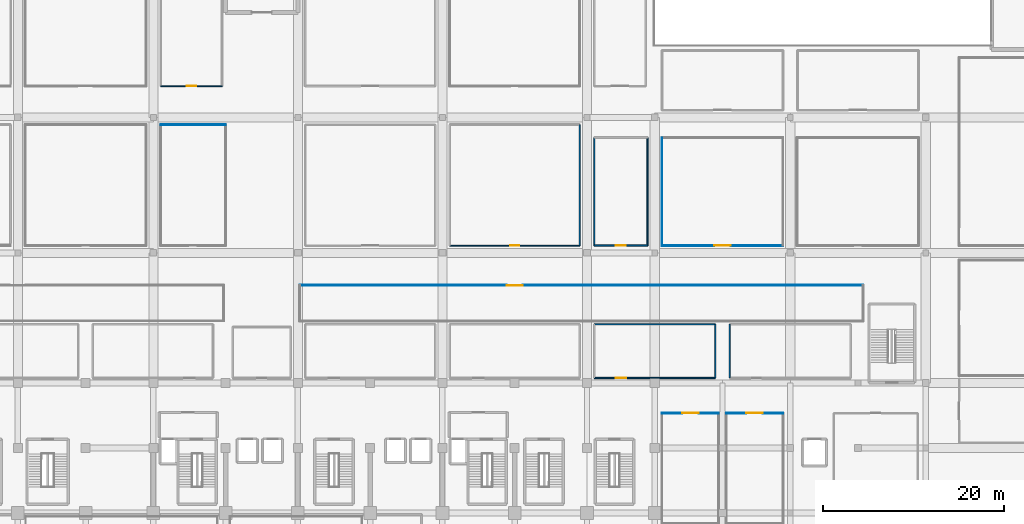
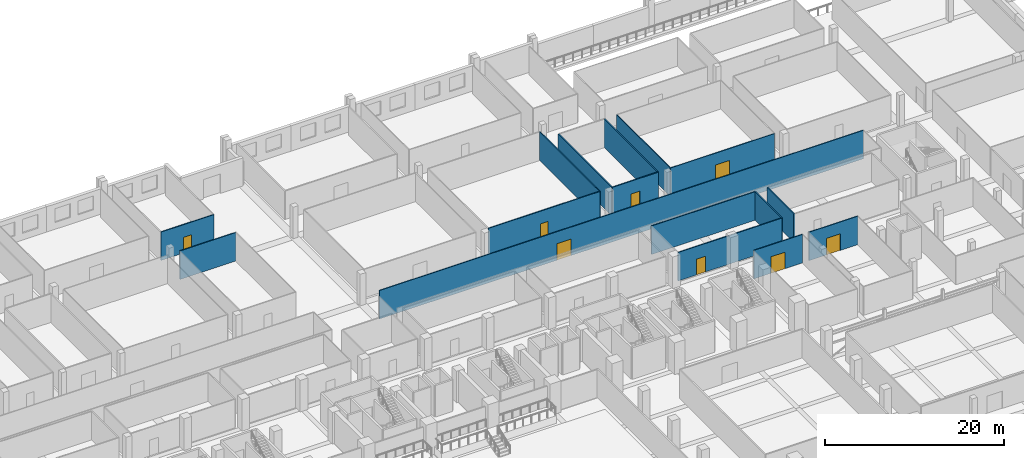
# One storey, part 20 of 33: 16 walls, 8 doors, 8 openings.
"""IFC4 building model written with IfcOpenShell, lengths in metres."""

from ifc_helpers import new_model, si_unit, direction, frame, frame_2d, origin, place, context, subcontext, project, spatial, rectangle, extrude, material, layer, layer_set, type_object, element, fill, save


model = new_model("IFC4")

# Units and contexts
model_context = context("Model", 3, precision=1e-05, world=origin(), true_north=direction((0.0, 1.0)))
body_context = subcontext(model_context, "Body", "Model", "MODEL_VIEW")
ifc_project = project(units=[si_unit("LENGTHUNIT", "METRE"), si_unit("AREAUNIT", "SQUARE_METRE"), si_unit("VOLUMEUNIT", "CUBIC_METRE"), si_unit("PLANEANGLEUNIT", "RADIAN"), si_unit("MASSUNIT", "GRAM", prefix="KILO")], contexts=[model_context])

# Site, building, storey
site_placement = place(None, origin())
site = spatial("IfcSite", under=ifc_project, at=site_placement, CompositionType="ELEMENT")
building_placement = place(site_placement, origin())
building = spatial("IfcBuilding", under=site, at=building_placement, Name="Akrevak Sports Hall", CompositionType="ELEMENT")
storey_placement = place(building_placement, origin())
storey = spatial("IfcBuildingStorey", under=building, at=storey_placement, Name="L00", CompositionType="ELEMENT", Elevation=0.0)

# Wall, opening, door
ifc_material_1 = material(Name="Sanitary Cubicle Partition", Category="gypsum")
ifc_layer_1 = layer(ifc_material_1, 0.10009765625, Name="Sanitary Cubicle Partition")
ifc_layer_set_1 = layer_set([ifc_layer_1], Name="Sanitary Cubicle Partition")
wall_type_1 = type_object("IfcWallType", Name="ARC-WL-PRT-100", PredefinedType="PARTITIONING", material=ifc_layer_set_1)
wall_1_placement = place(storey_placement, frame((116.300048828125, 84.800048828125, 0.0), z_axis=(0.0, 0.0, 1.0), x_axis=(1.0, 0.0, 0.0)))
wall_1 = element("IfcWall", 1, at=wall_1_placement, inside=storey, type_object=wall_type_1, Name="Interior Partition Athletic Gear & Equipment Storage L00-10 (S)", PredefinedType="PARTITIONING", context=body_context, shape_type="SweptSolid", body=[
    extrude(rectangle(XDim=13.39990234375, YDim=0.10009765625, at=frame_2d((6.699951171875, 0.0))), origin(), (0.0, 0.0, 1.0), 3.8798828125),
])
opening_1_placement = place(wall_1_placement, frame((5.800048828125, 0.0, 0.0)))
opening_1 = element("IfcOpeningElement", 2, at=opening_1_placement, cuts=wall_1, Name="Opening ID-02", PredefinedType="OPENING", context=body_context, shape_type="SweptSolid", body=[
    extrude(rectangle(XDim=1.800048828125, YDim=2.25, at=frame_2d((0.89990234375, 1.125))), frame((0.0, 0.06201171875, 0.0), z_axis=(0.0, -1.0, 0.0), x_axis=(1.0, 0.0, 0.0)), (0.0, 0.0, 1.0), 0.1240234375),
])
ifc_material_2 = material(Name="Hardwood Oak & Safety Glass", Category="wood")
door_type_1 = type_object("IfcDoorType", Name="ARC-DR-HALL-180x225", OperationType="DOUBLE_DOOR_SINGLE_SWING", PredefinedType="DOOR", material=ifc_material_2)
door_1_placement = place(opening_1_placement, origin())
door_1 = element("IfcDoor", 3, at=door_1_placement, inside=storey, type_object=door_type_1, Name="Door to Athletic Gear & Equipment Storage L00-10", OperationType="DOUBLE_DOOR_SINGLE_SWING", OverallHeight=2.25, OverallWidth=1.800048828125, PredefinedType="DOOR", context=body_context, shape_type="SweptSolid", body=[
    extrude(rectangle(XDim=1.800048828125, YDim=2.25, at=frame_2d((0.89990234375, 1.125))), frame((0.0, 0.02490234375, 0.0), z_axis=(0.0, -1.0, 0.0), x_axis=(1.0, 0.0, 0.0)), (0.0, 0.0, 1.0), 0.050048828125),
])
fill(opening_1, door_1)

# Wall
wall_2_placement = place(storey_placement, frame((116.300048828125, 84.800048828125, 0.0), z_axis=(0.0, 0.0, 1.0), x_axis=(0.0, 1.0, 0.0)))
element("IfcWall", 4, at=wall_2_placement, inside=storey, type_object=wall_type_1, Name="Interior Partition Athletic Gear & Equipment Storage L00-10 (W)", PredefinedType="PARTITIONING", context=body_context, shape_type="SweptSolid", body=[
    extrude(rectangle(XDim=11.949951171875, YDim=0.10009765625, at=frame_2d((5.97509765625, 0.0))), origin(), (0.0, 0.0, 1.0), 3.8798828125),
])

# Wall, opening, door
wall_3_placement = place(storey_placement, frame((116.300048828125, 66.25, 0.0), z_axis=(0.0, 0.0, 1.0), x_axis=(1.0, 0.0, 0.0)))
wall_3 = element("IfcWall", 5, at=wall_3_placement, inside=storey, type_object=wall_type_1, Name="Interior Partition Handball Gear Storage L00 (N)", PredefinedType="PARTITIONING", context=body_context, shape_type="SweptSolid", body=[
    extrude(rectangle(XDim=6.300048828125, YDim=0.10009765625, at=frame_2d((3.14990234375, 0.0))), origin(), (0.0, 0.0, 1.0), 3.8798828125),
])
opening_2_placement = place(wall_3_placement, frame((2.25, 0.0, 0.0)))
opening_2 = element("IfcOpeningElement", 6, at=opening_2_placement, cuts=wall_3, Name="Opening ID-02", PredefinedType="OPENING", context=body_context, shape_type="SweptSolid", body=[
    extrude(rectangle(XDim=1.800048828125, YDim=2.25, at=frame_2d((0.89990234375, 1.125))), frame((0.0, 0.06201171875, 0.0), z_axis=(0.0, -1.0, 0.0), x_axis=(1.0, 0.0, 0.0)), (0.0, 0.0, 1.0), 0.1240234375),
])
door_2_placement = place(opening_2_placement, origin())
door_2 = element("IfcDoor", 7, at=door_2_placement, inside=storey, type_object=door_type_1, Name="Door to Handball Gear Storage L00", OperationType="DOUBLE_DOOR_SINGLE_SWING", OverallHeight=2.25, OverallWidth=1.800048828125, PredefinedType="DOOR", context=body_context, shape_type="SweptSolid", body=[
    extrude(rectangle(XDim=1.800048828125, YDim=2.25, at=frame_2d((0.89990234375, 1.125))), frame((0.0, 0.02490234375, 0.0), z_axis=(0.0, -1.0, 0.0), x_axis=(1.0, 0.0, 0.0)), (0.0, 0.0, 1.0), 0.050048828125),
])
fill(opening_2, door_2)

# Wall
ifc_material_3 = material(Name="Lightweight Office Partition", Category="gypsum")
ifc_layer_2 = layer(ifc_material_3, 0.110107421875, Name="Lightweight Office Partition")
ifc_layer_set_2 = layer_set([ifc_layer_2], Name="Lightweight Office Partition")
wall_type_2 = type_object("IfcWallType", Name="ARC-WL-PRT-110", PredefinedType="PARTITIONING", material=ifc_layer_set_2)
wall_4_placement = place(storey_placement, frame((60.800048828125, 98.199951171875, 0.0), z_axis=(0.0, 0.0, 1.0), x_axis=(1.0, 0.0, 0.0)))
element("IfcWall", 8, at=wall_4_placement, inside=storey, type_object=wall_type_2, Name="Interior Partition Sports Clinic Recovery & Physiotherapy Room L00-6 (N)", PredefinedType="PARTITIONING", context=body_context, shape_type="SweptSolid", body=[
    extrude(rectangle(XDim=7.199951171875, YDim=0.110107421875, at=frame_2d((3.60009765625, 0.0))), origin(), (0.0, 0.0, 1.0), 3.8798828125),
])

# Wall, opening, door
wall_5_placement = place(storey_placement, frame((123.39990234375, 66.25, 0.0), z_axis=(0.0, 0.0, 1.0), x_axis=(1.0, 0.0, 0.0)))
wall_5 = element("IfcWall", 9, at=wall_5_placement, inside=storey, type_object=wall_type_2, Name="Interior Partition Climbing Rigging & Mat Storage L00 (N)", PredefinedType="PARTITIONING", context=body_context, shape_type="SweptSolid", body=[
    extrude(rectangle(XDim=6.300048828125, YDim=0.110107421875, at=frame_2d((3.14990234375, 0.0))), origin(), (0.0, 0.0, 1.0), 3.8798828125),
])
opening_3_placement = place(wall_5_placement, frame((2.25, 0.0, 0.0)))
opening_3 = element("IfcOpeningElement", 10, at=opening_3_placement, cuts=wall_5, Name="Opening ID-02", PredefinedType="OPENING", context=body_context, shape_type="SweptSolid", body=[
    extrude(rectangle(XDim=1.800048828125, YDim=2.25, at=frame_2d((0.89990234375, 1.125))), frame((0.0, 0.06689453125, 0.0), z_axis=(0.0, -1.0, 0.0), x_axis=(1.0, 0.0, 0.0)), (0.0, 0.0, 1.0), 0.134033203125),
])
door_3_placement = place(opening_3_placement, origin())
door_3 = element("IfcDoor", 11, at=door_3_placement, inside=storey, type_object=door_type_1, Name="Door to Climbing Rigging & Mat Storage L00", OperationType="DOUBLE_DOOR_SINGLE_SWING", OverallHeight=2.25, OverallWidth=1.800048828125, PredefinedType="DOOR", context=body_context, shape_type="SweptSolid", body=[
    extrude(rectangle(XDim=1.800048828125, YDim=2.25, at=frame_2d((0.89990234375, 1.125))), frame((0.0, 0.02490234375, 0.0), z_axis=(0.0, -1.0, 0.0), x_axis=(1.0, 0.0, 0.0)), (0.0, 0.0, 1.0), 0.050048828125),
])
fill(opening_3, door_3)

wall_6_placement = place(storey_placement, frame((76.199951171875, 80.39990234375, 0.0), z_axis=(0.0, 0.0, 1.0), x_axis=(1.0, 0.0, 0.0)))
wall_6 = element("IfcWall", 12, at=wall_6_placement, inside=storey, type_object=wall_type_2, Name="Interior Partition North Athletes Gear & Kit Storage L00-2 (N)", PredefinedType="PARTITIONING", context=body_context, shape_type="SweptSolid", body=[
    extrude(rectangle(XDim=62.400146484375, YDim=0.110107421875, at=frame_2d((31.2001953125, 0.0))), origin(), (0.0, 0.0, 1.0), 3.8798828125),
])
opening_4_placement = place(wall_6_placement, frame((22.89990234375, 0.0, 0.0)))
opening_4 = element("IfcOpeningElement", 13, at=opening_4_placement, cuts=wall_6, Name="Opening ID-02", PredefinedType="OPENING", context=body_context, shape_type="SweptSolid", body=[
    extrude(rectangle(XDim=1.800048828125, YDim=2.25, at=frame_2d((0.89990234375, 1.125))), frame((0.0, 0.06689453125, 0.0), z_axis=(0.0, -1.0, 0.0), x_axis=(1.0, 0.0, 0.0)), (0.0, 0.0, 1.0), 0.134033203125),
])
door_4_placement = place(opening_4_placement, origin())
door_4 = element("IfcDoor", 14, at=door_4_placement, inside=storey, type_object=door_type_1, Name="Door to North Athletes Gear & Kit Storage L00-2", OperationType="DOUBLE_DOOR_SINGLE_SWING", OverallHeight=2.25, OverallWidth=1.800048828125, PredefinedType="DOOR", context=body_context, shape_type="SweptSolid", body=[
    extrude(rectangle(XDim=1.800048828125, YDim=2.25, at=frame_2d((0.89990234375, 1.125))), frame((0.0, 0.02490234375, 0.0), z_axis=(0.0, -1.0, 0.0), x_axis=(1.0, 0.0, 0.0)), (0.0, 0.0, 1.0), 0.050048828125),
])
fill(opening_4, door_4)

ifc_material_4 = material(Name="Standard Metal Stud Partition", Category="gypsum")
ifc_layer_3 = layer(ifc_material_4, 0.1201171875, Name="Standard Metal Stud Partition")
ifc_layer_set_3 = layer_set([ifc_layer_3], Name="Standard Metal Stud Partition")
wall_type_3 = type_object("IfcWallType", Name="ARC-WL-PRT-120", PredefinedType="PARTITIONING", material=ifc_layer_set_3)
wall_7_placement = place(storey_placement, frame((60.800048828125, 102.449951171875, 0.0), z_axis=(0.0, 0.0, 1.0), x_axis=(1.0, 0.0, 0.0)))
wall_7 = element("IfcWall", 15, at=wall_7_placement, inside=storey, type_object=wall_type_3, Name="Interior Partition Federation Officiating & Records Office L00-6 (S)", PredefinedType="PARTITIONING", context=body_context, shape_type="SweptSolid", body=[
    extrude(rectangle(XDim=6.800048828125, YDim=0.1201171875, at=frame_2d((3.39990234375, 0.0))), origin(), (0.0, 0.0, 1.0), 3.8798828125),
])
opening_5_placement = place(wall_7_placement, frame((2.875, 0.0, 0.0)))
opening_5 = element("IfcOpeningElement", 16, at=opening_5_placement, cuts=wall_7, Name="Opening ID-05", PredefinedType="OPENING", context=body_context, shape_type="SweptSolid", body=[
    extrude(rectangle(XDim=1.050048828125, YDim=2.14990234375, at=frame_2d((0.52490234375, 1.074951171875))), frame((0.0, 0.072021484375, 0.0), z_axis=(0.0, -1.0, 0.0), x_axis=(1.0, 0.0, 0.0)), (0.0, 0.0, 1.0), 0.14404296875),
])
ifc_material_5 = material(Name="Hardwood Oak Acoustic Leaf", Category="wood")
door_type_2 = type_object("IfcDoorType", Name="ARC-DR-OFF-105x215", OperationType="NOTDEFINED", PredefinedType="DOOR", material=ifc_material_5)
door_5_placement = place(opening_5_placement, origin())
door_5 = element("IfcDoor", 17, at=door_5_placement, inside=storey, type_object=door_type_2, Name="Door to Federation Officiating & Records Office L00-6", OperationType="SINGLE_SWING_LEFT", OverallHeight=2.14990234375, OverallWidth=1.050048828125, PredefinedType="DOOR", context=body_context, shape_type="SweptSolid", body=[
    extrude(rectangle(XDim=1.050048828125, YDim=2.14990234375, at=frame_2d((0.52490234375, 1.074951171875))), frame((0.0, 0.02490234375, 0.0), z_axis=(0.0, -1.0, 0.0), x_axis=(1.0, 0.0, 0.0)), (0.0, 0.0, 1.0), 0.050048828125),
])
fill(opening_5, door_5)

ifc_material_6 = material(Name="Acoustic Metal Stud Partition", Category="gypsum")
ifc_layer_4 = layer(ifc_material_6, 0.1298828125, Name="Acoustic Metal Stud Partition")
ifc_layer_set_4 = layer_set([ifc_layer_4], Name="Acoustic Metal Stud Partition")
wall_type_4 = type_object("IfcWallType", Name="ARC-WL-PRT-130", PredefinedType="PARTITIONING", material=ifc_layer_set_4)
wall_8_placement = place(storey_placement, frame((108.800048828125, 70.14990234375, 0.0), z_axis=(0.0, 0.0, 1.0), x_axis=(1.0, 0.0, 0.0)))
wall_8 = element("IfcWall", 18, at=wall_8_placement, inside=storey, type_object=wall_type_4, Name="Interior Partition Changing Room 6 - Climbing Athletes (S)", PredefinedType="PARTITIONING", context=body_context, shape_type="SweptSolid", body=[
    extrude(rectangle(XDim=13.39990234375, YDim=0.1298828125, at=frame_2d((6.699951171875, 0.0))), origin(), (0.0, 0.0, 1.0), 3.8798828125),
])
opening_6_placement = place(wall_8_placement, frame((2.375, 0.0, 0.0)))
opening_6 = element("IfcOpeningElement", 19, at=opening_6_placement, cuts=wall_8, Name="Opening ID-07", PredefinedType="OPENING", context=body_context, shape_type="SweptSolid", body=[
    extrude(rectangle(XDim=1.14990234375, YDim=2.14990234375, at=frame_2d((0.574951171875, 1.074951171875))), frame((0.0, 0.076904296875, 0.0), z_axis=(0.0, -1.0, 0.0), x_axis=(1.0, 0.0, 0.0)), (0.0, 0.0, 1.0), 0.15380859375),
])
ifc_material_7 = material(Name="High-Pressure Laminate & Aluminium", Category="aluminium")
door_type_3 = type_object("IfcDoorType", Name="ARC-DR-CHG-115x215", OperationType="NOTDEFINED", PredefinedType="DOOR", material=ifc_material_7)
door_6_placement = place(opening_6_placement, origin())
door_6 = element("IfcDoor", 20, at=door_6_placement, inside=storey, type_object=door_type_3, Name="Door to Changing Room 6 - Climbing Athletes", OperationType="SINGLE_SWING_LEFT", OverallHeight=2.14990234375, OverallWidth=1.14990234375, PredefinedType="DOOR", context=body_context, shape_type="SweptSolid", body=[
    extrude(rectangle(XDim=1.14990234375, YDim=2.14990234375, at=frame_2d((0.574951171875, 1.074951171875))), frame((0.0, 0.02490234375, 0.0), z_axis=(0.0, -1.0, 0.0), x_axis=(1.0, 0.0, 0.0)), (0.0, 0.0, 1.0), 0.050048828125),
])
fill(opening_6, door_6)

# Walls
wall_9_placement = place(storey_placement, frame((108.800048828125, 76.10009765625, 0.0), z_axis=(0.0, 0.0, 1.0), x_axis=(1.0, 0.0, 0.0)))
element("IfcWall", 21, at=wall_9_placement, inside=storey, type_object=wall_type_4, Name="Interior Partition Changing Room 6 - Climbing Athletes (N)", PredefinedType="PARTITIONING", context=body_context, shape_type="SweptSolid", body=[
    extrude(rectangle(XDim=13.39990234375, YDim=0.1298828125, at=frame_2d((6.699951171875, 0.0))), origin(), (0.0, 0.0, 1.0), 3.8798828125),
])
wall_10_placement = place(storey_placement, frame((122.199951171875, 70.14990234375, 0.0), z_axis=(0.0, 0.0, 1.0), x_axis=(0.0, 1.0, 0.0)))
element("IfcWall", 22, at=wall_10_placement, inside=storey, type_object=wall_type_4, Name="Interior Partition Changing Room 6 - Climbing Athletes (E)", PredefinedType="PARTITIONING", context=body_context, shape_type="SweptSolid", body=[
    extrude(rectangle(XDim=5.9501953125, YDim=0.1298828125, at=frame_2d((2.97509765625, 0.0))), origin(), (0.0, 0.0, 1.0), 3.8798828125),
])

# Wall, opening, door
wall_11_placement = place(storey_placement, frame((92.800048828125, 84.800048828125, 0.0), z_axis=(0.0, 0.0, 1.0), x_axis=(1.0, 0.0, 0.0)))
wall_11 = element("IfcWall", 23, at=wall_11_placement, inside=storey, type_object=wall_type_4, Name="Interior Partition Sports Federation Training Office L00-8 (S)", PredefinedType="PARTITIONING", context=body_context, shape_type="SweptSolid", body=[
    extrude(rectangle(XDim=14.39990234375, YDim=0.1298828125, at=frame_2d((7.199951171875, 0.0))), origin(), (0.0, 0.0, 1.0), 3.8798828125),
])
opening_7_placement = place(wall_11_placement, frame((6.699951171875, 0.0, 0.0)))
opening_7 = element("IfcOpeningElement", 24, at=opening_7_placement, cuts=wall_11, Name="Opening ID-06", PredefinedType="OPENING", context=body_context, shape_type="SweptSolid", body=[
    extrude(rectangle(XDim=1.0, YDim=2.14990234375, at=frame_2d((0.5, 1.074951171875))), frame((0.0, 0.076904296875, 0.0), z_axis=(0.0, -1.0, 0.0), x_axis=(1.0, 0.0, 0.0)), (0.0, 0.0, 1.0), 0.15380859375),
])
door_type_4 = type_object("IfcDoorType", Name="ARC-DR-OFF-100x215", OperationType="NOTDEFINED", PredefinedType="DOOR", material=ifc_material_5)
door_7_placement = place(opening_7_placement, frame((1.0, 0.0, 0.0), z_axis=(0.0, 0.0, 1.0), x_axis=(-1.0, 0.0, 0.0)))
door_7 = element("IfcDoor", 25, at=door_7_placement, inside=storey, type_object=door_type_4, Name="Door to Sports Federation Training Office L00-8", OperationType="SINGLE_SWING_RIGHT", OverallHeight=2.14990234375, OverallWidth=1.0, PredefinedType="DOOR", context=body_context, shape_type="SweptSolid", body=[
    extrude(rectangle(XDim=1.0, YDim=2.14990234375, at=frame_2d((0.5, 1.074951171875))), frame((0.0, 0.02490234375, 0.0), z_axis=(0.0, -1.0, 0.0), x_axis=(1.0, 0.0, 0.0)), (0.0, 0.0, 1.0), 0.050048828125),
])
fill(opening_7, door_7)

# Walls
wall_12_placement = place(storey_placement, frame((107.199951171875, 84.800048828125, 0.0), z_axis=(0.0, 0.0, 1.0), x_axis=(0.0, 1.0, 0.0)))
element("IfcWall", 26, at=wall_12_placement, inside=storey, type_object=wall_type_4, Name="Interior Partition Sports Federation Training Office L00-8 (E)", PredefinedType="PARTITIONING", context=body_context, shape_type="SweptSolid", body=[
    extrude(rectangle(XDim=13.39990234375, YDim=0.1298828125, at=frame_2d((6.699951171875, 0.0))), origin(), (0.0, 0.0, 1.0), 3.8798828125),
])
ifc_material_8 = material(Name="Moisture-Resistant Wet-Area Partition", Category="gypsum")
ifc_layer_5 = layer(ifc_material_8, 0.139892578125, Name="Moisture-Resistant Wet-Area Partition")
ifc_layer_set_5 = layer_set([ifc_layer_5], Name="Moisture-Resistant Wet-Area Partition")
wall_type_5 = type_object("IfcWallType", Name="ARC-WL-PRT-140", PredefinedType="PARTITIONING", material=ifc_layer_set_5)
wall_13_placement = place(storey_placement, frame((123.800048828125, 70.14990234375, 0.0), z_axis=(0.0, 0.0, 1.0), x_axis=(0.0, 1.0, 0.0)))
element("IfcWall", 27, at=wall_13_placement, inside=storey, type_object=wall_type_5, Name="Interior Partition Athletes Team Shower Suite (W)", PredefinedType="PARTITIONING", context=body_context, shape_type="SweptSolid", body=[
    extrude(rectangle(XDim=5.9501953125, YDim=0.139892578125, at=frame_2d((2.97509765625, 0.0))), origin(), (0.0, 0.0, 1.0), 3.8798828125),
])

# Wall, opening, door
ifc_material_9 = material(Name="Double Stud Acoustic Gypsum Partition", Category="gypsum")
ifc_layer_6 = layer(ifc_material_9, 0.14990234375, Name="Double Stud Acoustic Gypsum Partition")
ifc_layer_set_6 = layer_set([ifc_layer_6], Name="Double Stud Acoustic Gypsum Partition")
wall_type_6 = type_object("IfcWallType", Name="ARC-WL-PRT-150", PredefinedType="PARTITIONING", material=ifc_layer_set_6)
wall_14_placement = place(storey_placement, frame((108.800048828125, 84.800048828125, 0.0), z_axis=(0.0, 0.0, 1.0), x_axis=(1.0, 0.0, 0.0)))
wall_14 = element("IfcWall", 28, at=wall_14_placement, inside=storey, type_object=wall_type_6, Name="Interior Partition Sports Clinic Recovery & Physiotherapy Room L00-9 (S)", PredefinedType="PARTITIONING", context=body_context, shape_type="SweptSolid", body=[
    extrude(rectangle(XDim=5.89990234375, YDim=0.14990234375, at=frame_2d((2.949951171875, 0.0))), origin(), (0.0, 0.0, 1.0), 3.8798828125),
])
opening_8_placement = place(wall_14_placement, frame((2.39990234375, 0.0, 0.0)))
opening_8 = element("IfcOpeningElement", 29, at=opening_8_placement, cuts=wall_14, Name="Opening ID-04", PredefinedType="OPENING", context=body_context, shape_type="SweptSolid", body=[
    extrude(rectangle(XDim=1.10009765625, YDim=2.14990234375, at=frame_2d((0.550048828125, 1.074951171875))), frame((0.0, 0.0869140625, 0.0), z_axis=(0.0, -1.0, 0.0), x_axis=(1.0, 0.0, 0.0)), (0.0, 0.0, 1.0), 0.173828125),
])
door_type_5 = type_object("IfcDoorType", Name="ARC-DR-OFF-110x215", OperationType="NOTDEFINED", PredefinedType="DOOR", material=ifc_material_5)
door_8_placement = place(opening_8_placement, origin())
door_8 = element("IfcDoor", 30, at=door_8_placement, inside=storey, type_object=door_type_5, Name="Door to Sports Clinic Recovery & Physiotherapy Room L00-9", OperationType="SINGLE_SWING_LEFT", OverallHeight=2.14990234375, OverallWidth=1.10009765625, PredefinedType="DOOR", context=body_context, shape_type="SweptSolid", body=[
    extrude(rectangle(XDim=1.10009765625, YDim=2.14990234375, at=frame_2d((0.550048828125, 1.074951171875))), frame((0.0, 0.02490234375, 0.0), z_axis=(0.0, -1.0, 0.0), x_axis=(1.0, 0.0, 0.0)), (0.0, 0.0, 1.0), 0.050048828125),
])
fill(opening_8, door_8)

# Walls
for number, where, z_axis, x_axis, name in (
    (31, (108.800048828125, 84.800048828125, 0.0), (0.0, 0.0, 1.0), (0.0, 1.0, 0.0), "Interior Partition Sports Clinic Recovery & Physiotherapy Room L00-9 (W)"),
    (32, (114.699951171875, 84.800048828125, 0.0), (0.0, 0.0, 1.0), (0.0, 1.0, 0.0), "Interior Partition Sports Clinic Recovery & Physiotherapy Room L00-9 (E)"),
):
    element("IfcWall", number, at=place(storey_placement, frame(where, z_axis=z_axis, x_axis=x_axis)), inside=storey, type_object=wall_type_6, Name=name, PredefinedType="PARTITIONING", context=body_context, shape_type="SweptSolid", body=[
        extrude(rectangle(XDim=11.949951171875, YDim=0.14990234375, at=frame_2d((5.97509765625, 0.0))), origin(), (0.0, 0.0, 1.0), 3.8798828125),
    ])

save(model, "model.ifc")
